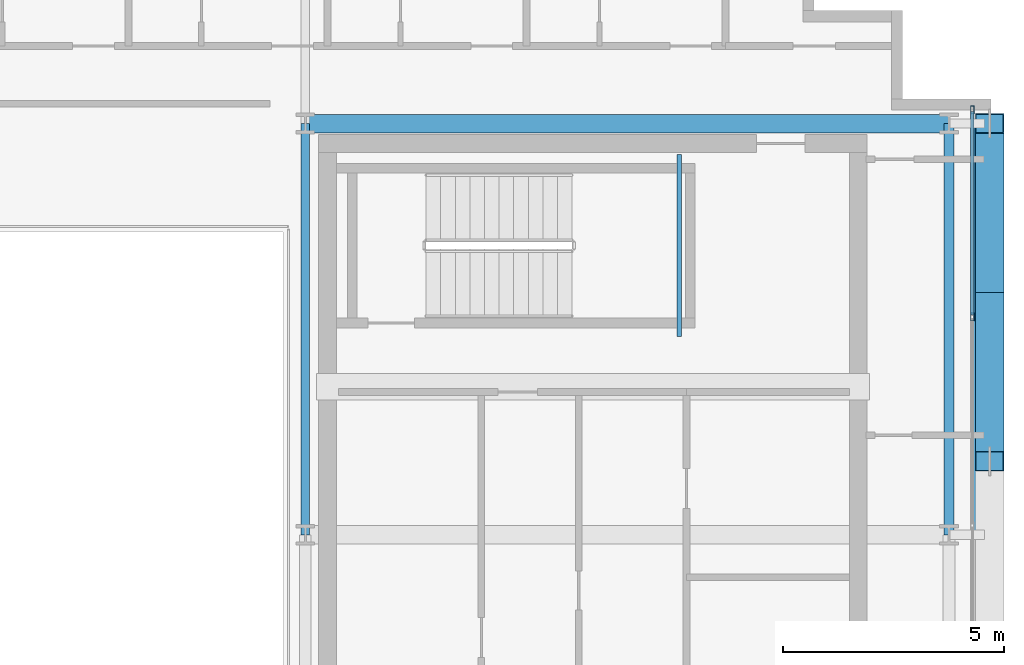
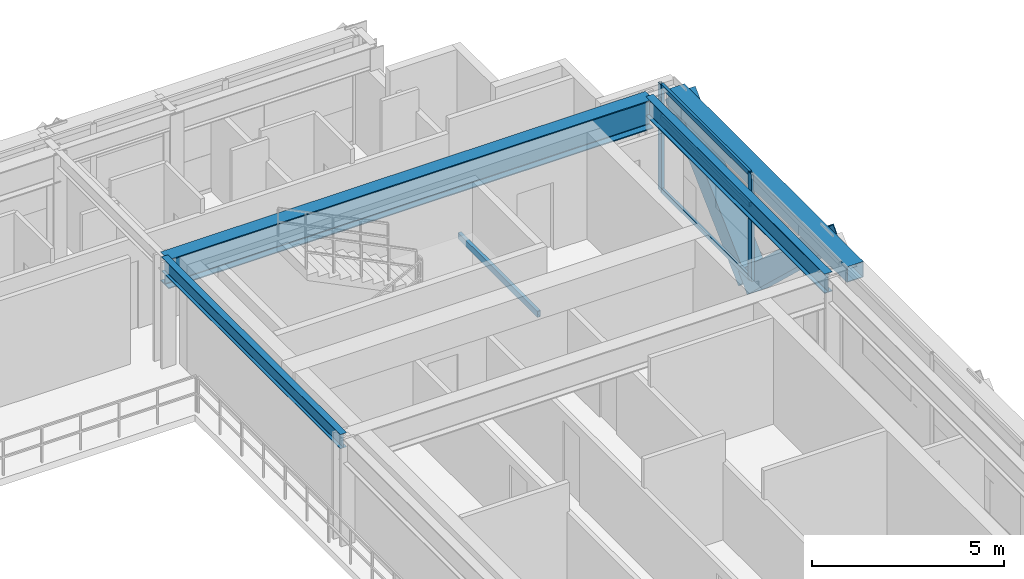
# One storey, part 12 of 28: 7 members, 5 beams, 1 element without a shape of its own.
"""IFC4 building model written with IfcOpenShell, lengths in metres."""

from ifc_helpers import new_model, si_unit, direction, frame, origin, origin_2d, place, context, subcontext, project, spatial, hollow_rectangle, i_section, extrude, source, transform, mapped, material, layer, layer_set, material_profile, profile_set, type_object, element, aggregate, save


model = new_model("IFC4")

# Units and contexts
model_context = context("Model", 3, precision=1e-05, world=origin(), true_north=direction((0.0, 1.0)))
body_context = subcontext(model_context, "Body", "Model", "MODEL_VIEW")
ifc_project = project(units=[si_unit("LENGTHUNIT", "METRE"), si_unit("AREAUNIT", "SQUARE_METRE"), si_unit("VOLUMEUNIT", "CUBIC_METRE"), si_unit("PLANEANGLEUNIT", "RADIAN"), si_unit("MASSUNIT", "GRAM", prefix="KILO")], contexts=[model_context])

# Site, building, storey
site_placement = place(None, origin())
site = spatial("IfcSite", under=ifc_project, at=site_placement, CompositionType="ELEMENT")
building_placement = place(site_placement, origin())
building = spatial("IfcBuilding", under=site, at=building_placement, Name="Ocotamira Hotel", CompositionType="ELEMENT")
storey_placement = place(building_placement, frame((0.0, 0.0, 240.0)))
storey = spatial("IfcBuildingStorey", under=building, at=storey_placement, Name="L60", CompositionType="ELEMENT", Elevation=240.0)

# Beams
ifc_material_1 = material(Name="Steel ASTM A500 Grade C", Category="steel")
ifc_material_profile_1 = material_profile(ifc_material_1, hollow_rectangle(XDim=0.10009765625, YDim=0.199951171875, WallThickness=0.008056640625, at=origin_2d()), Name="HSS200X100X8")
ifc_profile_set_1 = profile_set([ifc_material_profile_1], Name="Steel ASTM A500 Grade C")
beam_type_1 = type_object("IfcBeamType", Name="BM-STLDG-HSS200", PredefinedType="BEAM", material=ifc_profile_set_1)
shared_shape_1 = source(origin(), body_context, "Body", "SweptSolid", [
    extrude(hollow_rectangle(XDim=0.10009765625, YDim=0.199951171875, WallThickness=0.008056640625, at=origin_2d()), origin(), (0.0, 0.0, 1.0), 4.1201171875),
])
beam_1_placement = place(storey_placement, frame((48.949951171875, 32.6298828125, 1.5), z_axis=(0.0, 1.0, 0.0), x_axis=(-1.0, 0.0, 0.0)))
element("IfcBeam", 1, at=beam_1_placement, inside=storey, type_object=beam_type_1, Name="L60 Stair ST-4 Landing Bearer 1", PredefinedType="BEAM", context=body_context, shape_type="MappedRepresentation", body=[
    mapped(shared_shape_1, transform((0.0, 0.0, 0.0), scale=1.0)),
])
ifc_material_2 = material(Name="Steel ASTM A992 Grade 50", Category="steel")
ifc_material_profile_2 = material_profile(ifc_material_2, i_section(OverallWidth=0.41796875, OverallDepth=0.927001953125, WebThickness=0.019287109375, FlangeThickness=0.031982421875, FilletRadius=0.02392578125, at=origin_2d()), Name="W36X231")
ifc_profile_set_2 = profile_set([ifc_material_profile_2], Name="Steel ASTM A992 Grade 50")
beam_type_2 = type_object("IfcBeamType", Name="BM-GIRD-W36X231", PredefinedType="BEAM", material=ifc_profile_set_2)
shared_shape_2 = source(origin(), body_context, "Body", "SweptSolid", [
    extrude(i_section(OverallWidth=0.41796875, OverallDepth=0.927001953125, WebThickness=0.019287109375, FlangeThickness=0.031982421875, FilletRadius=0.02392578125, at=origin_2d()), origin(), (0.0, 0.0, 1.0), 14.550048828125),
])
beam_2_placement = place(storey_placement, frame((40.5, 37.449951171875, 2.91650390625), z_axis=(1.0, 0.0, 0.0), x_axis=(0.0, 1.0, 0.0)))
element("IfcBeam", 2, at=beam_2_placement, inside=storey, type_object=beam_type_2, Name="L60 Girder Y37.45 X40.5-55.05", PredefinedType="BEAM", context=body_context, shape_type="MappedRepresentation", body=[
    mapped(shared_shape_2, transform((0.0, 0.0, 0.0), scale=1.0)),
])
ifc_material_profile_3 = material_profile(ifc_material_2, i_section(OverallWidth=0.22998046875, OverallDepth=0.616943359375, WebThickness=0.01318359375, FlangeThickness=0.022216796875, FilletRadius=0.012939453125, at=origin_2d()), Name="W24X94")
ifc_profile_set_3 = profile_set([ifc_material_profile_3], Name="Steel ASTM A992 Grade 50")
beam_type_3 = type_object("IfcBeamType", Name="BM-PRIM-W24X94", PredefinedType="BEAM", material=ifc_profile_set_3)
shared_shape_3 = source(origin(), body_context, "Body", "SweptSolid", [
    extrude(i_section(OverallWidth=0.22998046875, OverallDepth=0.616943359375, WebThickness=0.01318359375, FlangeThickness=0.022216796875, FilletRadius=0.012939453125, at=origin_2d()), origin(), (0.0, 0.0, 1.0), 9.300048828125),
])
beam_3_placement = place(storey_placement, frame((55.050048828125, 28.14990234375, 3.071533203125), z_axis=(0.0, 1.0, 0.0), x_axis=(-1.0, 0.0, 0.0)))
element("IfcBeam", 3, at=beam_3_placement, inside=storey, type_object=beam_type_3, Name="L60 Beam X55.05 Y28.15-37.45", PredefinedType="BEAM", context=body_context, shape_type="MappedRepresentation", body=[
    mapped(shared_shape_3, transform((0.0, 0.0, 0.0), scale=1.0)),
])
ifc_material_profile_4 = material_profile(ifc_material_2, i_section(OverallWidth=0.18994140625, OverallDepth=0.45703125, WebThickness=0.009033203125, FlangeThickness=0.014404296875, FilletRadius=0.010009765625, at=origin_2d()), Name="W18X50")
ifc_profile_set_4 = profile_set([ifc_material_profile_4], Name="Steel ASTM A992 Grade 50")
beam_type_4 = type_object("IfcBeamType", Name="BM-SEC-W18X50", PredefinedType="JOIST", material=ifc_profile_set_4)
shared_shape_4 = source(origin(), body_context, "Body", "SweptSolid", [
    extrude(i_section(OverallWidth=0.18994140625, OverallDepth=0.45703125, WebThickness=0.009033203125, FlangeThickness=0.014404296875, FilletRadius=0.010009765625, at=origin_2d()), origin(), (0.0, 0.0, 1.0), 9.300048828125),
])
beam_4_placement = place(storey_placement, frame((40.5, 28.14990234375, 3.151611328125), z_axis=(0.0, 1.0, 0.0), x_axis=(-1.0, 0.0, 0.0)))
element("IfcBeam", 4, at=beam_4_placement, inside=storey, type_object=beam_type_4, Name="L60 Beam X40.5 Y28.15-37.45", PredefinedType="JOIST", context=body_context, shape_type="MappedRepresentation", body=[
    mapped(shared_shape_4, transform((0.0, 0.0, 0.0), scale=1.0)),
])
ifc_material_profile_5 = material_profile(ifc_material_1, hollow_rectangle(XDim=0.5, YDim=0.5, WallThickness=0.02001953125, at=origin_2d()), Name="HSS500X500X20")
ifc_profile_set_5 = profile_set([ifc_material_profile_5], Name="Steel ASTM A500 Grade C")
beam_type_5 = type_object("IfcBeamType", Name="BM-SPAN-HSS500", PredefinedType="USERDEFINED", material=ifc_profile_set_5)
shared_shape_5 = source(origin(), body_context, "Body", "SweptSolid", [
    extrude(hollow_rectangle(XDim=0.5, YDim=0.5, WallThickness=0.02001953125, at=origin_2d()), origin(), (0.0, 0.0, 1.0), 9.300048828125),
])
beam_5_placement = place(storey_placement, frame((55.85009765625, 28.14990234375, 3.1298828125), z_axis=(0.0, 1.0, 0.0), x_axis=(-1.0, 0.0, 0.0)))
element("IfcBeam", 5, at=beam_5_placement, inside=storey, type_object=beam_type_5, Name="L60 Edge Spandrel E Y28.15-37.45", ObjectType="SPANDREL", PredefinedType="USERDEFINED", context=body_context, shape_type="MappedRepresentation", body=[
    mapped(shared_shape_5, transform((0.0, 0.0, 0.0), scale=1.0)),
])

# Members
ifc_material_3 = material(Name="Pale-metal coated steel ASTM A913 Grade 65", Category="steel")
ifc_material_profile_6 = material_profile(ifc_material_3, hollow_rectangle(XDim=0.64990234375, YDim=0.64990234375, WallThickness=0.02197265625, at=origin_2d()), Name="BOX650X650X22")
ifc_profile_set_6 = profile_set([ifc_material_profile_6], Name="Pale-metal coated steel ASTM A913 Grade 65")
member_type_1 = type_object("IfcMemberType", Name="MEM-EXO-BOX650", PredefinedType="BRACE", material=ifc_profile_set_6)
shared_shape_6 = source(origin(), body_context, "Body", "SweptSolid", [
    extrude(hollow_rectangle(XDim=0.64990234375, YDim=0.64990234375, WallThickness=0.02197265625, at=origin_2d()), origin(), (0.0, 0.0, 1.0), 5.24658203125),
])
for number, where, z_axis, x_axis, name in (
    (6, (55.969970703125, 33.63330078125, -0.469970703125), (0.0, -0.72746596067, 0.686143772154), (1.0, 0.0, 0.0), "L60 Exoskeleton Diagrid E2.1"),
    (7, (55.969970703125, 33.63330078125, -0.469970703125), (0.0, 0.72746596067, 0.686143772154), (-1.0, 0.0, 0.0), "L60 Exoskeleton Diagrid E2.2"),
):
    element("IfcMember", number, at=place(storey_placement, frame(where, z_axis=z_axis, x_axis=x_axis)), inside=storey, type_object=member_type_1, Name=name, PredefinedType="BRACE", context=body_context, shape_type="MappedRepresentation", body=[
        mapped(shared_shape_6, transform((0.0, 0.0, 0.0), scale=1.0)),
    ])

# Curtain wall, members
ifc_material_4 = material(Name="Anodised pale-metal aluminium and solar glass", Category="aluminium")
ifc_layer = layer(ifc_material_4, 0.239990234375)
ifc_layer_set = layer_set([ifc_layer], Name="Anodised pale-metal aluminium and solar glass")
curtain_wall_type = type_object("IfcCurtainWallType", Name="CW-SYS5-SKY", PredefinedType="NOTDEFINED", material=ifc_layer_set)
curtain_wall_placement = place(storey_placement, origin())
curtain_wall = element("IfcCurtainWall", 8, at=curtain_wall_placement, inside=storey, type_object=curtain_wall_type, Name="L60 Curtain Wall CW-5 CW-L60-E", PredefinedType="NOTDEFINED")
ifc_material_5 = material(Name="Anodised pale-metal aluminium 6063-T6", Category="aluminium")
ifc_material_profile_7 = material_profile(ifc_material_5, hollow_rectangle(XDim=0.080078125, YDim=0.179931640625, WallThickness=0.006103515625, at=origin_2d()), Name="HSS180X80X6")
ifc_profile_set_7 = profile_set([ifc_material_profile_7], Name="Anodised pale-metal aluminium 6063-T6")
member_type_2 = type_object("IfcMemberType", Name="CWM-180X75", PredefinedType="MULLION", material=ifc_profile_set_7)
shared_shape_7 = source(origin(), body_context, "Body", "SweptSolid", [
    extrude(hollow_rectangle(XDim=0.080078125, YDim=0.179931640625, WallThickness=0.006103515625, at=origin_2d()), origin(), (0.0, 0.0, 1.0), 3.3798828125),
])
member_1_placement = place(storey_placement, frame((55.580078125, 33.080078125, 0.0), z_axis=(0.0, 0.0, 1.0), x_axis=(-1.0, 0.0, 0.0)))
member_1 = element("IfcMember", 9, at=member_1_placement, type_object=member_type_2, Name="CW-5 mullion 5", PredefinedType="MULLION", context=body_context, shape_type="MappedRepresentation", body=[
    mapped(shared_shape_7, transform((0.0, 0.0, 0.0), scale=1.0)),
])
member_2_placement = place(storey_placement, frame((55.580078125, 37.760009765625, 0.0), z_axis=(0.0, 0.0, 1.0), x_axis=(-1.0, 0.0, 0.0)))
member_2 = element("IfcMember", 10, at=member_2_placement, type_object=member_type_2, Name="CW-5 mullion 6", PredefinedType="MULLION", context=body_context, shape_type="MappedRepresentation", body=[
    mapped(shared_shape_7, transform((0.0, 0.0, 0.0), scale=1.0)),
])
ifc_material_profile_8 = material_profile(ifc_material_5, hollow_rectangle(XDim=0.074951171875, YDim=0.14990234375, WallThickness=0.006103515625, at=origin_2d()), Name="HSS150X75X6")
ifc_profile_set_8 = profile_set([ifc_material_profile_8], Name="Anodised pale-metal aluminium 6063-T6")
member_type_3 = type_object("IfcMemberType", Name="CWT-150X75", PredefinedType="USERDEFINED", material=ifc_profile_set_8)
shared_shape_8 = source(origin(), body_context, "Body", "SweptSolid", [
    extrude(hollow_rectangle(XDim=0.074951171875, YDim=0.14990234375, WallThickness=0.006103515625, at=origin_2d()), origin(), (0.0, 0.0, 1.0), 4.599853515625),
])
member_3_placement = place(storey_placement, frame((55.580078125, 33.1201171875, 0.03759765625), z_axis=(0.0, 1.0, 0.0), x_axis=(-1.0, 0.0, 0.0)))
member_3 = element("IfcMember", 11, at=member_3_placement, type_object=member_type_3, Name="CW-5 transom 5.1", ObjectType="TRANSOM", PredefinedType="USERDEFINED", context=body_context, shape_type="MappedRepresentation", body=[
    mapped(shared_shape_8, transform((0.0, 0.0, 0.0), scale=1.0)),
])
member_4_placement = place(storey_placement, frame((55.580078125, 33.1201171875, 2.35009765625), z_axis=(0.0, 1.0, 0.0), x_axis=(-1.0, 0.0, 0.0)))
member_4 = element("IfcMember", 12, at=member_4_placement, type_object=member_type_3, Name="CW-5 transom 5.2", ObjectType="TRANSOM", PredefinedType="USERDEFINED", context=body_context, shape_type="MappedRepresentation", body=[
    mapped(shared_shape_8, transform((0.0, 0.0, 0.0), scale=1.0)),
])
member_5_placement = place(storey_placement, frame((55.580078125, 33.1201171875, 3.342529296875), z_axis=(0.0, 1.0, 0.0), x_axis=(-1.0, 0.0, 0.0)))
member_5 = element("IfcMember", 13, at=member_5_placement, type_object=member_type_3, Name="CW-5 transom 5.3", ObjectType="TRANSOM", PredefinedType="USERDEFINED", context=body_context, shape_type="MappedRepresentation", body=[
    mapped(shared_shape_8, transform((0.0, 0.0, 0.0), scale=1.0)),
])
aggregate(curtain_wall, [member_1, member_2, member_3, member_4, member_5])

save(model, "model.ifc")
